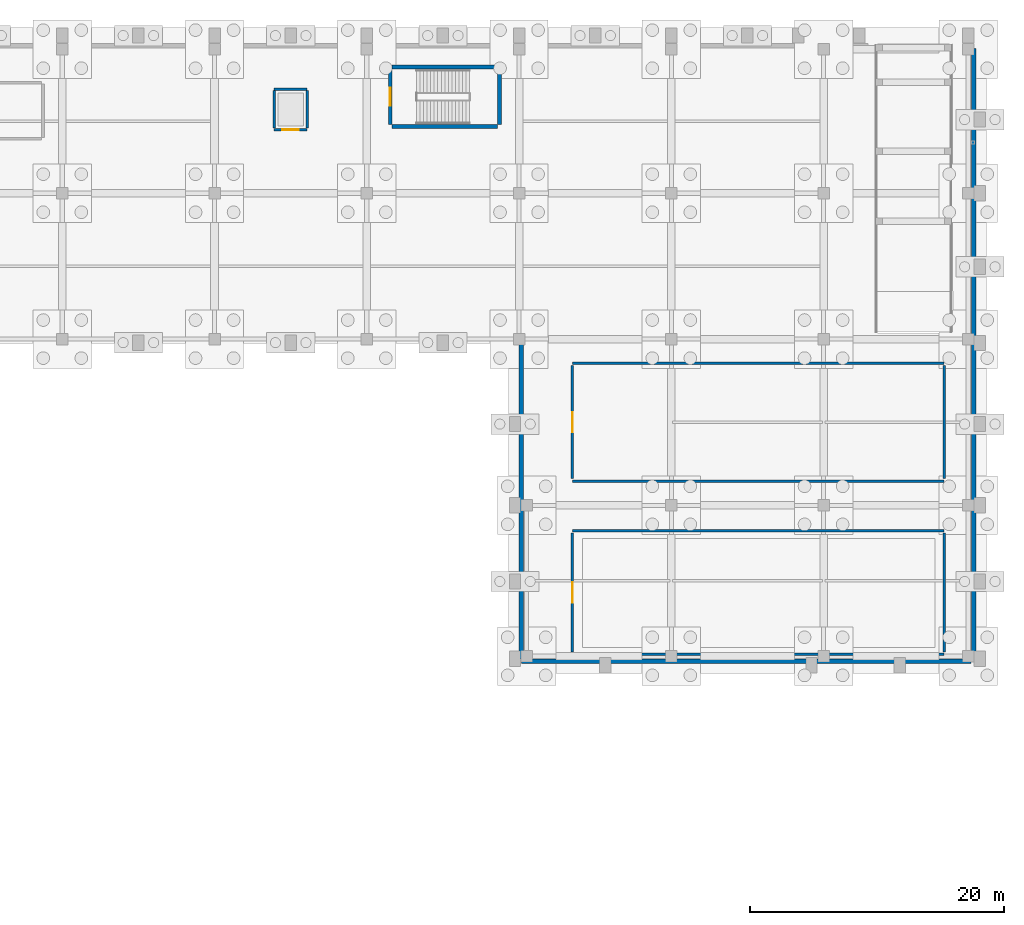
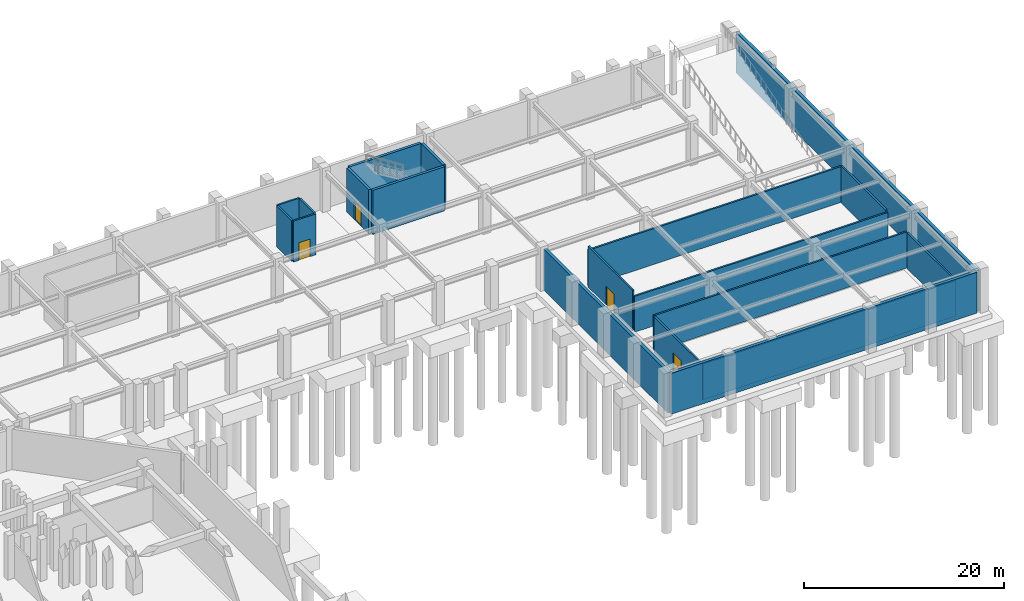
# One storey, part 19 of 27: 19 walls, 4 doors, 4 openings.
"""IFC4 building model written with IfcOpenShell, lengths in metres."""

from ifc_helpers import new_model, si_unit, derived_unit, direction, frame, frame_2d, origin, place, context, subcontext, project, spatial, rectangle, extrude, material, layer, layer_set, type_object, element, fill, save


model = new_model("IFC4")

# Units and contexts
model_context = context("Model", 3, precision=1e-05, world=origin(), true_north=direction((0.0, 1.0)))
body_context = subcontext(model_context, "Body", "Model", "MODEL_VIEW")
ifc_project = project(units=[si_unit("LENGTHUNIT", "METRE"), si_unit("AREAUNIT", "SQUARE_METRE"), si_unit("VOLUMEUNIT", "CUBIC_METRE"), si_unit("PLANEANGLEUNIT", "RADIAN"), si_unit("MASSUNIT", "GRAM", prefix="KILO"), derived_unit("THERMALTRANSMITTANCEUNIT", [(si_unit("MASSUNIT", "GRAM", prefix="KILO"), 1), (si_unit("TIMEUNIT", "SECOND"), -3), (si_unit("THERMODYNAMICTEMPERATUREUNIT", "KELVIN"), -1)])], contexts=[model_context])

# Site, building, storey
site_placement = place(None, origin())
site = spatial("IfcSite", under=ifc_project, at=site_placement, CompositionType="ELEMENT")
building_placement = place(site_placement, origin())
building = spatial("IfcBuilding", under=site, at=building_placement, Name="Valcora Ridge Arena", CompositionType="ELEMENT")
storey_placement = place(building_placement, frame((0.0, 0.0, -5.39990234375)))
storey = spatial("IfcBuildingStorey", under=building, at=storey_placement, Name="B1", CompositionType="ELEMENT", Elevation=-5.39990234375)

# Walls
ifc_material_1 = material(Name="Fire-resisting reinforced concrete enclosure C40/50 200 mm", Category="concrete")
ifc_layer_1 = layer(ifc_material_1, 0.199951171875, Name="Fire-resisting reinforced concrete enclosure C40/50 200 mm")
ifc_layer_set_1 = layer_set([ifc_layer_1], Name="Fire-resisting reinforced concrete enclosure C40/50 200 mm")
wall_type_1 = type_object("IfcWallType", Name="TY-WALL-IW-FIRE-200", PredefinedType="STANDARD", material=ifc_layer_set_1)
for number, where, z_axis, x_axis, name in (
    (1, (160.199951171875, 83.85009765625, 0.0), (0.0, 0.0, 1.0), (1.0, 0.0, 0.0), "IW-FIRE-200 WAL-IN-0183"),
    (2, (160.199951171875, 93.60009765625, 0.0), (0.0, 0.0, 1.0), (1.0, 0.0, 0.0), "IW-FIRE-200 WAL-IN-0184"),
):
    element("IfcWall", number, at=place(storey_placement, frame(where, z_axis=z_axis, x_axis=x_axis)), inside=storey, type_object=wall_type_1, Name=name, PredefinedType="STANDARD", context=body_context, shape_type="SweptSolid", body=[
        extrude(rectangle(XDim=29.300048828125, YDim=0.199951171875, at=frame_2d((14.64990234375, 0.0))), origin(), (0.0, 0.0, 1.0), 4.387939453125),
    ])

# Wall, opening, door
wall_1_placement = place(storey_placement, frame((160.199951171875, 84.050048828125, 0.0), z_axis=(0.0, 0.0, 1.0), x_axis=(0.0, 1.0, 0.0)))
wall_1 = element("IfcWall", 3, at=wall_1_placement, inside=storey, type_object=wall_type_1, Name="IW-FIRE-200 WAL-IN-0185", PredefinedType="STANDARD", context=body_context, shape_type="SweptSolid", body=[
    extrude(rectangle(XDim=9.349853515625, YDim=0.199951171875, at=frame_2d((4.6748046875, 0.0))), origin(), (0.0, 0.0, 1.0), 4.387939453125),
])
opening_1_placement = place(wall_1_placement, frame((3.875, 0.0, 0.0)))
opening_1 = element("IfcOpeningElement", 4, at=opening_1_placement, cuts=wall_1, Name="Opening FD-PLT-1600", PredefinedType="OPENING", context=body_context, shape_type="SweptSolid", body=[
    extrude(rectangle(XDim=1.60009765625, YDim=2.300048828125, at=frame_2d((0.800048828125, 1.14990234375))), frame((0.0, 0.10986328125, 0.0), z_axis=(0.0, -1.0, 0.0), x_axis=(1.0, 0.0, 0.0)), (0.0, 0.0, 1.0), 0.219970703125),
])
ifc_material_2 = material(Name="Insulated fire-rated steel door leaf", Category="steel")
door_type_1 = type_object("IfcDoorType", Name="TY-DOOR-FD-PLT-1600", OperationType="NOTDEFINED", PredefinedType="DOOR", material=ifc_material_2)
door_1_placement = place(opening_1_placement, origin())
door_1 = element("IfcDoor", 5, at=door_1_placement, inside=storey, type_object=door_type_1, Name="FD-PLT-1600 DOR-IN-0050", OperationType="DOUBLE_DOOR_SINGLE_SWING", OverallHeight=2.300048828125, OverallWidth=1.60009765625, PredefinedType="DOOR", context=body_context, shape_type="SweptSolid", body=[
    extrude(rectangle(XDim=1.60009765625, YDim=2.300048828125, at=frame_2d((0.800048828125, 1.14990234375))), frame((0.0, 0.02490234375, 0.0), z_axis=(0.0, -1.0, 0.0), x_axis=(1.0, 0.0, 0.0)), (0.0, 0.0, 1.0), 0.050048828125),
])
fill(opening_1, door_1)

# Walls
wall_2_placement = place(storey_placement, frame((189.5, 84.050048828125, 0.0), z_axis=(0.0, 0.0, 1.0), x_axis=(0.0, 1.0, 0.0)))
element("IfcWall", 6, at=wall_2_placement, inside=storey, type_object=wall_type_1, Name="IW-FIRE-200 WAL-IN-0186", PredefinedType="STANDARD", context=body_context, shape_type="SweptSolid", body=[
    extrude(rectangle(XDim=9.349853515625, YDim=0.199951171875, at=frame_2d((4.6748046875, 0.0))), origin(), (0.0, 0.0, 1.0), 4.387939453125),
])
for number, where, z_axis, x_axis, name in (
    (7, (160.199951171875, 97.5, 0.0), (0.0, 0.0, 1.0), (1.0, 0.0, 0.0), "IW-FIRE-200 WAL-IN-0187"),
    (8, (160.199951171875, 106.800048828125, 0.0), (0.0, 0.0, 1.0), (1.0, 0.0, 0.0), "IW-FIRE-200 WAL-IN-0188"),
):
    element("IfcWall", number, at=place(storey_placement, frame(where, z_axis=z_axis, x_axis=x_axis)), inside=storey, type_object=wall_type_1, Name=name, PredefinedType="STANDARD", context=body_context, shape_type="SweptSolid", body=[
        extrude(rectangle(XDim=29.300048828125, YDim=0.199951171875, at=frame_2d((14.64990234375, 0.0))), origin(), (0.0, 0.0, 1.0), 4.387939453125),
    ])

# Wall, opening, door
wall_3_placement = place(storey_placement, frame((160.199951171875, 97.699951171875, 0.0), z_axis=(0.0, 0.0, 1.0), x_axis=(0.0, 1.0, 0.0)))
wall_3 = element("IfcWall", 9, at=wall_3_placement, inside=storey, type_object=wall_type_1, Name="IW-FIRE-200 WAL-IN-0189", PredefinedType="STANDARD", context=body_context, shape_type="SweptSolid", body=[
    extrude(rectangle(XDim=8.900146484375, YDim=0.199951171875, at=frame_2d((4.4501953125, 0.0))), origin(), (0.0, 0.0, 1.0), 5.0),
])
opening_2_placement = place(wall_3_placement, frame((3.64990234375, 0.0, 0.0)))
opening_2 = element("IfcOpeningElement", 10, at=opening_2_placement, cuts=wall_3, Name="Opening FD-PLT-1600", PredefinedType="OPENING", context=body_context, shape_type="SweptSolid", body=[
    extrude(rectangle(XDim=1.60009765625, YDim=2.300048828125, at=frame_2d((0.800048828125, 1.14990234375))), frame((0.0, 0.10986328125, 0.0), z_axis=(0.0, -1.0, 0.0), x_axis=(1.0, 0.0, 0.0)), (0.0, 0.0, 1.0), 0.219970703125),
])
door_2_placement = place(opening_2_placement, origin())
door_2 = element("IfcDoor", 11, at=door_2_placement, inside=storey, type_object=door_type_1, Name="FD-PLT-1600 DOR-IN-0051", OperationType="DOUBLE_DOOR_SINGLE_SWING", OverallHeight=2.300048828125, OverallWidth=1.60009765625, PredefinedType="DOOR", context=body_context, shape_type="SweptSolid", body=[
    extrude(rectangle(XDim=1.60009765625, YDim=2.300048828125, at=frame_2d((0.800048828125, 1.14990234375))), frame((0.0, 0.02490234375, 0.0), z_axis=(0.0, -1.0, 0.0), x_axis=(1.0, 0.0, 0.0)), (0.0, 0.0, 1.0), 0.050048828125),
])
fill(opening_2, door_2)

# Wall
wall_4_placement = place(storey_placement, frame((189.5, 97.699951171875, 0.0), z_axis=(0.0, 0.0, 1.0), x_axis=(0.0, 1.0, 0.0)))
element("IfcWall", 12, at=wall_4_placement, inside=storey, type_object=wall_type_1, Name="IW-FIRE-200 WAL-IN-0190", PredefinedType="STANDARD", context=body_context, shape_type="SweptSolid", body=[
    extrude(rectangle(XDim=8.900146484375, YDim=0.199951171875, at=frame_2d((4.4501953125, 0.0))), origin(), (0.0, 0.0, 1.0), 4.54296875),
])

# Wall, opening, door
ifc_material_3 = material(Name="Concrete C40/50", Category="concrete")
ifc_layer_2 = layer(ifc_material_3, 0.199951171875, Name="Concrete C40/50")
ifc_layer_set_2 = layer_set([ifc_layer_2], Name="Concrete C40/50")
wall_type_2 = type_object("IfcWallType", Name="TY-WALL-IW-SHF-200", PredefinedType="STANDARD", material=ifc_layer_set_2)
wall_5_placement = place(storey_placement, frame((136.699951171875, 125.199951171875, 0.0), z_axis=(0.0, 0.0, 1.0), x_axis=(1.0, 0.0, 0.0)))
wall_5 = element("IfcWall", 13, at=wall_5_placement, inside=storey, type_object=wall_type_2, Name="IW-SHF-200 WAL-SH-0265", PredefinedType="STANDARD", context=body_context, shape_type="SweptSolid", body=[
    extrude(rectangle(XDim=2.60009765625, YDim=0.199951171875, at=frame_2d((1.300048828125, 0.0))), origin(), (0.0, 0.0, 1.0), 5.0),
])
opening_3_placement = place(wall_5_placement, frame((0.64990234375, 0.0, 0.0)))
opening_3 = element("IfcOpeningElement", 14, at=opening_3_placement, cuts=wall_5, Name="Opening LD-GDS", PredefinedType="OPENING", context=body_context, shape_type="SweptSolid", body=[
    extrude(rectangle(XDim=1.300048828125, YDim=2.14990234375, at=frame_2d((0.64990234375, 1.074951171875))), frame((0.0, 0.10986328125, 0.0), z_axis=(0.0, -1.0, 0.0), x_axis=(1.0, 0.0, 0.0)), (0.0, 0.0, 1.0), 0.219970703125),
])
ifc_material_4 = material(Name="Insulated fire-rated hollow metal steel", Category="steel")
door_type_2 = type_object("IfcDoorType", Name="TY-DOOR-LD-GDS", OperationType="NOTDEFINED", PredefinedType="DOOR", material=ifc_material_4)
door_3_placement = place(opening_3_placement, origin())
door_3 = element("IfcDoor", 15, at=door_3_placement, inside=storey, type_object=door_type_2, Name="GL2 Landing Door B1", OperationType="SLIDING_TO_LEFT", OverallHeight=2.14990234375, OverallWidth=1.300048828125, PredefinedType="DOOR", context=body_context, shape_type="SweptSolid", body=[
    extrude(rectangle(XDim=1.300048828125, YDim=2.14990234375, at=frame_2d((0.64990234375, 1.074951171875))), frame((0.0, 0.02490234375, 0.0), z_axis=(0.0, -1.0, 0.0), x_axis=(1.0, 0.0, 0.0)), (0.0, 0.0, 1.0), 0.050048828125),
])
fill(opening_3, door_3)

# Walls
wall_6_placement = place(storey_placement, frame((136.699951171875, 128.39990234375, 0.0), z_axis=(0.0, 0.0, 1.0), x_axis=(1.0, 0.0, 0.0)))
element("IfcWall", 16, at=wall_6_placement, inside=storey, type_object=wall_type_2, Name="IW-SHF-200 WAL-SH-0266", PredefinedType="STANDARD", context=body_context, shape_type="SweptSolid", body=[
    extrude(rectangle(XDim=2.60009765625, YDim=0.199951171875, at=frame_2d((1.300048828125, 0.0))), origin(), (0.0, 0.0, 1.0), 5.0),
])
for number, where, z_axis, x_axis, name in (
    (17, (136.699951171875, 125.320068359375, 0.0), (0.0, 0.0, 1.0), (0.0, 1.0, 0.0), "IW-SHF-200 WAL-SH-0267"),
    (18, (139.300048828125, 125.320068359375, 0.0), (0.0, 0.0, 1.0), (0.0, 1.0, 0.0), "IW-SHF-200 WAL-SH-0268"),
):
    element("IfcWall", number, at=place(storey_placement, frame(where, z_axis=z_axis, x_axis=x_axis)), inside=storey, type_object=wall_type_2, Name=name, PredefinedType="STANDARD", context=body_context, shape_type="SweptSolid", body=[
        extrude(rectangle(XDim=2.9599609375, YDim=0.199951171875, at=frame_2d((1.47998046875, 0.0))), origin(), (0.0, 0.0, 1.0), 5.0),
    ])
ifc_material_5 = material(Name="Concrete C45/55", Category="concrete")
ifc_layer_3 = layer(ifc_material_5, 0.300048828125, Name="Concrete C45/55")
ifc_layer_set_3 = layer_set([ifc_layer_3], Name="Concrete C45/55")
wall_type_3 = type_object("IfcWallType", Name="TY-WALL-SW-C300-L", PredefinedType="SHEAR", material=ifc_layer_set_3)
for number, where, z_axis, x_axis, name in (
    (19, (146.0, 125.449951171875, 0.0), (0.0, 0.0, 1.0), (1.0, 0.0, 0.0), "SW-C300-L WAL-CR-0197"),
    (20, (146.0, 130.14990234375, 0.0), (0.0, 0.0, 1.0), (1.0, 0.0, 0.0), "SW-C300-L WAL-CR-0198"),
):
    element("IfcWall", number, at=place(storey_placement, frame(where, z_axis=z_axis, x_axis=x_axis)), inside=storey, type_object=wall_type_3, Name=name, PredefinedType="SHEAR", context=body_context, shape_type="SweptSolid", body=[
        extrude(rectangle(XDim=8.320068359375, YDim=0.300048828125, at=frame_2d((4.16015625, 0.0))), origin(), (0.0, 0.0, 1.0), 5.39990234375),
    ])

# Wall, opening, door
ifc_layer_4 = layer(ifc_material_5, 0.300048828125, Name="Concrete C45/55")
ifc_layer_set_4 = layer_set([ifc_layer_4], Name="Concrete C45/55")
wall_type_4 = type_object("IfcWallType", Name="TY-WALL-SW-C300-S", PredefinedType="SHEAR", material=ifc_layer_set_4)
wall_7_placement = place(storey_placement, frame((145.85009765625, 125.60009765625, 0.0), z_axis=(0.0, 0.0, 1.0), x_axis=(0.0, 1.0, 0.0)))
wall_7 = element("IfcWall", 21, at=wall_7_placement, inside=storey, type_object=wall_type_4, Name="SW-C300-S WAL-CR-0199", PredefinedType="SHEAR", context=body_context, shape_type="SweptSolid", body=[
    extrude(rectangle(XDim=4.39990234375, YDim=0.300048828125, at=frame_2d((2.199951171875, 0.0))), origin(), (0.0, 0.0, 1.0), 5.39990234375),
])
opening_4_placement = place(wall_7_placement, frame((1.5, 0.0, 0.0)))
opening_4 = element("IfcOpeningElement", 22, at=opening_4_placement, cuts=wall_7, Name="Opening FD-01", PredefinedType="OPENING", context=body_context, shape_type="SweptSolid", body=[
    extrude(rectangle(XDim=1.39990234375, YDim=2.199951171875, at=frame_2d((0.699951171875, 1.10009765625))), frame((0.0, 0.159912109375, 0.0), z_axis=(0.0, -1.0, 0.0), x_axis=(1.0, 0.0, 0.0)), (0.0, 0.0, 1.0), 0.320068359375),
])
door_type_3 = type_object("IfcDoorType", Name="TY-DOOR-FD-01", OperationType="NOTDEFINED", PredefinedType="DOOR", material=ifc_material_2)
door_4_placement = place(opening_4_placement, origin())
door_4 = element("IfcDoor", 23, at=door_4_placement, inside=storey, type_object=door_type_3, Name="FD-01 DOR-ST-0050", OperationType="DOUBLE_DOOR_SINGLE_SWING", OverallHeight=2.199951171875, OverallWidth=1.39990234375, PredefinedType="DOOR", context=body_context, shape_type="SweptSolid", body=[
    extrude(rectangle(XDim=1.39990234375, YDim=2.199951171875, at=frame_2d((0.699951171875, 1.10009765625))), frame((0.0, 0.02490234375, 0.0), z_axis=(0.0, -1.0, 0.0), x_axis=(1.0, 0.0, 0.0)), (0.0, 0.0, 1.0), 0.050048828125),
])
fill(opening_4, door_4)

# Walls
wall_8_placement = place(storey_placement, frame((154.469970703125, 125.60009765625, 0.0), z_axis=(0.0, 0.0, 1.0), x_axis=(0.0, 1.0, 0.0)))
element("IfcWall", 24, at=wall_8_placement, inside=storey, type_object=wall_type_4, Name="SW-C300-S WAL-CR-0200", PredefinedType="SHEAR", context=body_context, shape_type="SweptSolid", body=[
    extrude(rectangle(XDim=4.39990234375, YDim=0.300048828125, at=frame_2d((2.199951171875, 0.0))), origin(), (0.0, 0.0, 1.0), 5.39990234375),
])
ifc_layer_5 = layer(ifc_material_3, 0.35009765625, Name="Concrete C40/50")
ifc_layer_set_5 = layer_set([ifc_layer_5], Name="Concrete C40/50")
wall_type_5 = type_object("IfcWallType", Name="TY-WALL-SW-RET-350", PredefinedType="SOLIDWALL", material=ifc_layer_set_5)
wall_9_placement = place(storey_placement, frame((191.820068359375, 83.39990234375, 0.0), z_axis=(0.0, 0.0, 1.0), x_axis=(0.0, 1.0, 0.0)))
element("IfcWall", 25, at=wall_9_placement, inside=storey, type_object=wall_type_5, Name="SW-RET-350 WAL-RT-0012", PredefinedType="SOLIDWALL", context=body_context, shape_type="SweptSolid", body=[
    extrude(rectangle(XDim=48.2001953125, YDim=0.35009765625, at=frame_2d((24.10009765625, 0.0))), origin(), (0.0, 0.0, 1.0), 5.0),
])
wall_10_placement = place(storey_placement, frame((156.199951171875, 83.320068359375, 0.0), z_axis=(0.0, 0.0, 1.0), x_axis=(1.0, 0.0, 0.0)))
element("IfcWall", 26, at=wall_10_placement, inside=storey, type_object=wall_type_5, Name="SW-RET-350 WAL-RT-0013", PredefinedType="SOLIDWALL", context=body_context, shape_type="SweptSolid", body=[
    extrude(rectangle(XDim=35.400146484375, YDim=0.35009765625, at=frame_2d((17.7001953125, 0.0))), origin(), (0.0, 0.0, 1.0), 5.0),
])
wall_11_placement = place(storey_placement, frame((156.179931640625, 83.5, 0.0), z_axis=(0.0, 0.0, 1.0), x_axis=(0.0, 1.0, 0.0)))
element("IfcWall", 27, at=wall_11_placement, inside=storey, type_object=wall_type_5, Name="SW-RET-350 WAL-RT-0014", PredefinedType="SOLIDWALL", context=body_context, shape_type="SweptSolid", body=[
    extrude(rectangle(XDim=24.89990234375, YDim=0.35009765625, at=frame_2d((12.449951171875, 0.0))), origin(), (0.0, 0.0, 1.0), 5.0),
])

save(model, "model.ifc")
